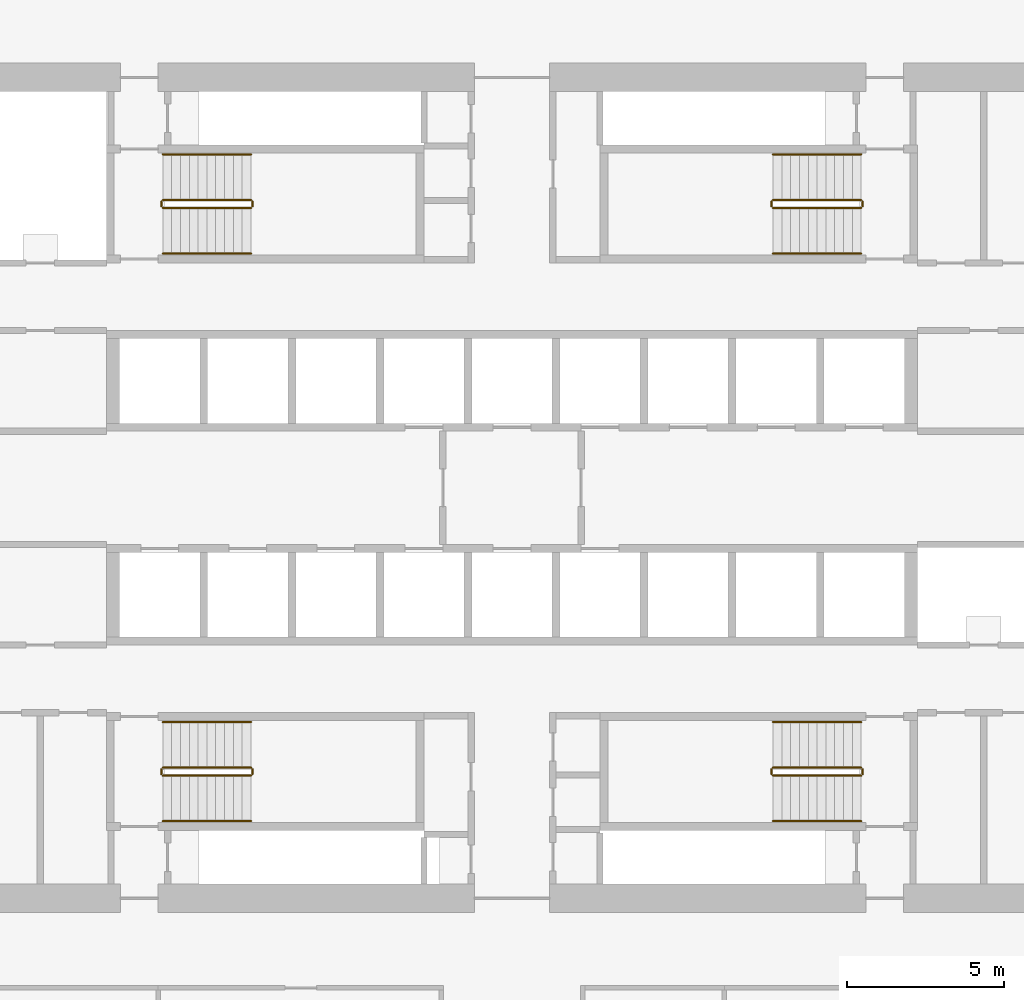
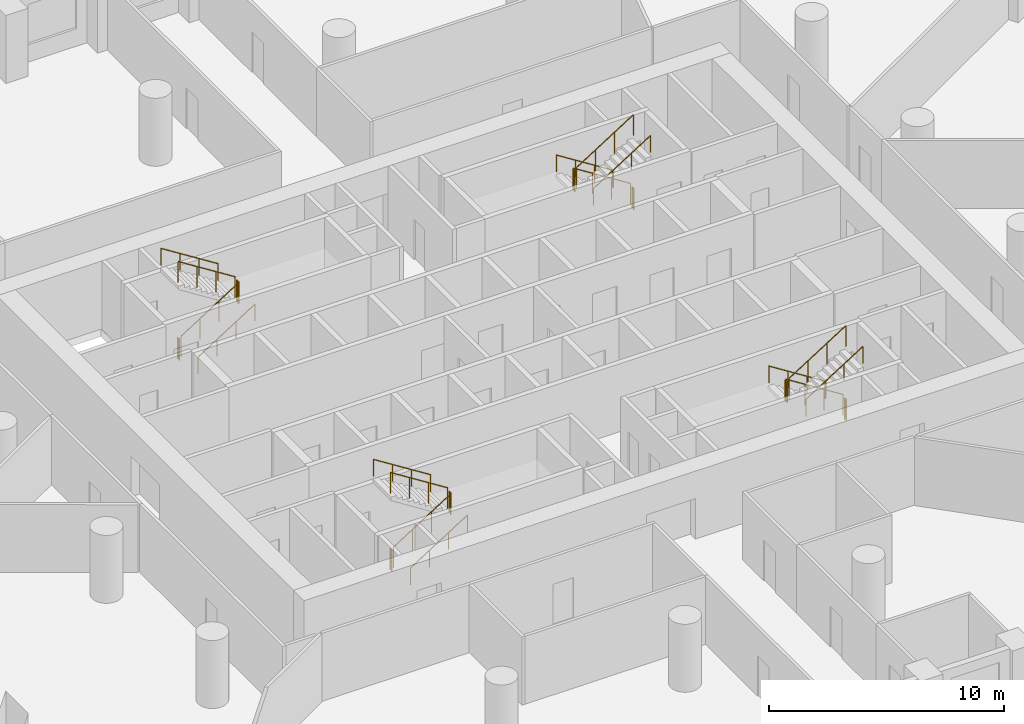
# One storey, part 10 of 10: 24 railings.
"""IFC4 building model written with IfcOpenShell, lengths in metres."""

from ifc_helpers import new_model, si_unit, direction, frame, origin, origin_2d, place, context, subcontext, project, spatial, circle, extrude, material, type_object, element, save


model = new_model("IFC4")

# Units and contexts
model_context = context("Model", 3, precision=1e-05, world=origin(), true_north=direction((0.0, 1.0)))
body_context = subcontext(model_context, "Body", "Model", "MODEL_VIEW")
ifc_project = project(units=[si_unit("LENGTHUNIT", "METRE"), si_unit("AREAUNIT", "SQUARE_METRE"), si_unit("VOLUMEUNIT", "CUBIC_METRE"), si_unit("PLANEANGLEUNIT", "RADIAN"), si_unit("MASSUNIT", "GRAM", prefix="KILO")], contexts=[model_context])

# Site, building, storey
site_placement = place(None, origin())
site = spatial("IfcSite", under=ifc_project, at=site_placement, CompositionType="ELEMENT")
building_placement = place(site_placement, origin())
building = spatial("IfcBuilding", under=site, at=building_placement, Name="Dhurran Vertical Campus", CompositionType="ELEMENT")
storey_placement = place(building_placement, frame((0.0, 0.0, 49.5)))
storey = spatial("IfcBuildingStorey", under=building, at=storey_placement, Name="L11", CompositionType="ELEMENT", Elevation=49.5)

# Railings
ifc_material_1 = material(Name="Stainless steel balustrade", Category="steel")
railing_type_1 = type_object("IfcRailingType", Name="co-RL-GUARD-1100", PredefinedType="GUARDRAIL", material=ifc_material_1)
railing_1_placement = place(storey_placement, frame((-11.10009765625, 8.89990234375, 0.17724609375)))
element("IfcRailing", 1, at=railing_1_placement, inside=storey, type_object=railing_type_1, Name="L11 ST1 stair guard 1", PredefinedType="GUARDRAIL", context=body_context, shape_type="SweptSolid", body=[
    extrude(circle(Radius=0.02392578125, at=origin_2d()), frame((0.0, 0.0, 1.076171875), z_axis=(0.844908973607, 0.0, 0.534910110503), x_axis=(0.0, 1.0, 0.0)), (0.0, 0.0, 1.0), 3.31396484375),
    extrude(circle(Radius=0.02099609375, at=origin_2d()), origin(), (0.0, 0.0, 1.0), 1.052001953125),
    extrude(circle(Radius=0.02099609375, at=origin_2d()), frame((0.933349609375, 0.0, 0.5908203125)), (0.0, 0.0, 1.0), 1.052001953125),
    extrude(circle(Radius=0.02099609375, at=origin_2d()), frame((1.86669921875, 0.0, 1.181884765625)), (0.0, 0.0, 1.0), 1.052001953125),
    extrude(circle(Radius=0.02099609375, at=origin_2d()), frame((2.800048828125, 0.0, 1.772705078125)), (0.0, 0.0, 1.0), 1.052001953125),
])
railing_2_placement = place(storey_placement, frame((-8.25, 8.949951171875, 1.949951171875)))
element("IfcRailing", 2, at=railing_2_placement, inside=storey, type_object=railing_type_1, Name="L11 ST1 stair guard 2", PredefinedType="GUARDRAIL", context=body_context, shape_type="SweptSolid", body=[
    extrude(circle(Radius=0.02392578125, at=origin_2d()), frame((0.0, 0.0, 1.076171875), z_axis=(0.0, 1.0, 0.0), x_axis=(-1.0, 0.0, 0.0)), (0.0, 0.0, 1.0), 0.150146484375),
    extrude(circle(Radius=0.02099609375, at=origin_2d()), origin(), (0.0, 0.0, 1.0), 1.052001953125),
    extrude(circle(Radius=0.02099609375, at=origin_2d()), frame((0.0, 0.150146484375, 0.0)), (0.0, 0.0, 1.0), 1.052001953125),
])
railing_3_placement = place(storey_placement, frame((-8.300048828125, 9.14990234375, 2.127197265625)))
element("IfcRailing", 3, at=railing_3_placement, inside=storey, type_object=railing_type_1, Name="L11 ST1 stair guard 3", PredefinedType="GUARDRAIL", context=body_context, shape_type="SweptSolid", body=[
    extrude(circle(Radius=0.02392578125, at=origin_2d()), frame((0.0, 0.0, 1.076171875), z_axis=(-0.844908973607, 0.0, 0.534910110503), x_axis=(0.0, -1.0, 0.0)), (0.0, 0.0, 1.0), 3.31396484375),
    extrude(circle(Radius=0.02099609375, at=origin_2d()), origin(), (0.0, 0.0, 1.0), 1.052001953125),
    extrude(circle(Radius=0.02099609375, at=origin_2d()), frame((-0.933349609375, 0.0, 0.5908203125)), (0.0, 0.0, 1.0), 1.052001953125),
    extrude(circle(Radius=0.02099609375, at=origin_2d()), frame((-1.86669921875, 0.0, 1.181884765625)), (0.0, 0.0, 1.0), 1.052001953125),
    extrude(circle(Radius=0.02099609375, at=origin_2d()), frame((-2.800048828125, 0.0, 1.772705078125)), (0.0, 0.0, 1.0), 1.052001953125),
])
railing_4_placement = place(storey_placement, frame((-11.14990234375, 8.949951171875, 0.0)))
element("IfcRailing", 4, at=railing_4_placement, inside=storey, type_object=railing_type_1, Name="L11 ST1 stair guard 4", PredefinedType="GUARDRAIL", context=body_context, shape_type="SweptSolid", body=[
    extrude(circle(Radius=0.02392578125, at=origin_2d()), frame((0.0, 0.0, 1.076171875), z_axis=(0.0, 1.0, 0.0), x_axis=(-1.0, 0.0, 0.0)), (0.0, 0.0, 1.0), 0.150146484375),
    extrude(circle(Radius=0.02099609375, at=origin_2d()), origin(), (0.0, 0.0, 1.0), 1.052001953125),
    extrude(circle(Radius=0.02099609375, at=origin_2d()), frame((0.0, 0.150146484375, 0.0)), (0.0, 0.0, 1.0), 1.052001953125),
])
railing_5_placement = place(storey_placement, frame((11.10009765625, 9.14990234375, 0.17724609375)))
element("IfcRailing", 5, at=railing_5_placement, inside=storey, type_object=railing_type_1, Name="L11 ST2 stair guard 1", PredefinedType="GUARDRAIL", context=body_context, shape_type="SweptSolid", body=[
    extrude(circle(Radius=0.02392578125, at=origin_2d()), frame((0.0, 0.0, 1.076171875), z_axis=(-0.844908973607, 0.0, 0.534910110503), x_axis=(0.0, -1.0, 0.0)), (0.0, 0.0, 1.0), 3.31396484375),
    extrude(circle(Radius=0.02099609375, at=origin_2d()), origin(), (0.0, 0.0, 1.0), 1.052001953125),
    extrude(circle(Radius=0.02099609375, at=origin_2d()), frame((-0.933349609375, 0.0, 0.5908203125)), (0.0, 0.0, 1.0), 1.052001953125),
    extrude(circle(Radius=0.02099609375, at=origin_2d()), frame((-1.86669921875, 0.0, 1.181884765625)), (0.0, 0.0, 1.0), 1.052001953125),
    extrude(circle(Radius=0.02099609375, at=origin_2d()), frame((-2.800048828125, 0.0, 1.772705078125)), (0.0, 0.0, 1.0), 1.052001953125),
])
railing_6_placement = place(storey_placement, frame((8.25, 9.10009765625, 1.949951171875)))
element("IfcRailing", 6, at=railing_6_placement, inside=storey, type_object=railing_type_1, Name="L11 ST2 stair guard 2", PredefinedType="GUARDRAIL", context=body_context, shape_type="SweptSolid", body=[
    extrude(circle(Radius=0.02392578125, at=origin_2d()), frame((0.0, 0.0, 1.076171875), z_axis=(0.0, -1.0, 0.0), x_axis=(1.0, 0.0, 0.0)), (0.0, 0.0, 1.0), 0.150146484375),
    extrude(circle(Radius=0.02099609375, at=origin_2d()), origin(), (0.0, 0.0, 1.0), 1.052001953125),
    extrude(circle(Radius=0.02099609375, at=origin_2d()), frame((0.0, -0.150146484375, 0.0)), (0.0, 0.0, 1.0), 1.052001953125),
])
railing_7_placement = place(storey_placement, frame((8.300048828125, 8.89990234375, 2.127197265625)))
element("IfcRailing", 7, at=railing_7_placement, inside=storey, type_object=railing_type_1, Name="L11 ST2 stair guard 3", PredefinedType="GUARDRAIL", context=body_context, shape_type="SweptSolid", body=[
    extrude(circle(Radius=0.02392578125, at=origin_2d()), frame((0.0, 0.0, 1.076171875), z_axis=(0.844908973607, 0.0, 0.534910110503), x_axis=(0.0, 1.0, 0.0)), (0.0, 0.0, 1.0), 3.31396484375),
    extrude(circle(Radius=0.02099609375, at=origin_2d()), origin(), (0.0, 0.0, 1.0), 1.052001953125),
    extrude(circle(Radius=0.02099609375, at=origin_2d()), frame((0.933349609375, 0.0, 0.5908203125)), (0.0, 0.0, 1.0), 1.052001953125),
    extrude(circle(Radius=0.02099609375, at=origin_2d()), frame((1.86669921875, 0.0, 1.181884765625)), (0.0, 0.0, 1.0), 1.052001953125),
    extrude(circle(Radius=0.02099609375, at=origin_2d()), frame((2.800048828125, 0.0, 1.772705078125)), (0.0, 0.0, 1.0), 1.052001953125),
])
railing_8_placement = place(storey_placement, frame((11.14990234375, 9.10009765625, 0.0)))
element("IfcRailing", 8, at=railing_8_placement, inside=storey, type_object=railing_type_1, Name="L11 ST2 stair guard 4", PredefinedType="GUARDRAIL", context=body_context, shape_type="SweptSolid", body=[
    extrude(circle(Radius=0.02392578125, at=origin_2d()), frame((0.0, 0.0, 1.076171875), z_axis=(0.0, -1.0, 0.0), x_axis=(1.0, 0.0, 0.0)), (0.0, 0.0, 1.0), 0.150146484375),
    extrude(circle(Radius=0.02099609375, at=origin_2d()), origin(), (0.0, 0.0, 1.0), 1.052001953125),
    extrude(circle(Radius=0.02099609375, at=origin_2d()), frame((0.0, -0.150146484375, 0.0)), (0.0, 0.0, 1.0), 1.052001953125),
])
railing_9_placement = place(storey_placement, frame((-11.10009765625, -9.14990234375, 0.17724609375)))
element("IfcRailing", 9, at=railing_9_placement, inside=storey, type_object=railing_type_1, Name="L11 ST3 stair guard 1", PredefinedType="GUARDRAIL", context=body_context, shape_type="SweptSolid", body=[
    extrude(circle(Radius=0.02392578125, at=origin_2d()), frame((0.0, 0.0, 1.076171875), z_axis=(0.844908973607, 0.0, 0.534910110503), x_axis=(0.0, 1.0, 0.0)), (0.0, 0.0, 1.0), 3.31396484375),
    extrude(circle(Radius=0.02099609375, at=origin_2d()), origin(), (0.0, 0.0, 1.0), 1.052001953125),
    extrude(circle(Radius=0.02099609375, at=origin_2d()), frame((0.933349609375, 0.0, 0.5908203125)), (0.0, 0.0, 1.0), 1.052001953125),
    extrude(circle(Radius=0.02099609375, at=origin_2d()), frame((1.86669921875, 0.0, 1.181884765625)), (0.0, 0.0, 1.0), 1.052001953125),
    extrude(circle(Radius=0.02099609375, at=origin_2d()), frame((2.800048828125, 0.0, 1.772705078125)), (0.0, 0.0, 1.0), 1.052001953125),
])
railing_10_placement = place(storey_placement, frame((-8.25, -9.10009765625, 1.949951171875)))
element("IfcRailing", 10, at=railing_10_placement, inside=storey, type_object=railing_type_1, Name="L11 ST3 stair guard 2", PredefinedType="GUARDRAIL", context=body_context, shape_type="SweptSolid", body=[
    extrude(circle(Radius=0.02392578125, at=origin_2d()), frame((0.0, 0.0, 1.076171875), z_axis=(0.0, 1.0, 0.0), x_axis=(-1.0, 0.0, 0.0)), (0.0, 0.0, 1.0), 0.150146484375),
    extrude(circle(Radius=0.02099609375, at=origin_2d()), origin(), (0.0, 0.0, 1.0), 1.052001953125),
    extrude(circle(Radius=0.02099609375, at=origin_2d()), frame((0.0, 0.150146484375, 0.0)), (0.0, 0.0, 1.0), 1.052001953125),
])
railing_11_placement = place(storey_placement, frame((-8.300048828125, -8.89990234375, 2.127197265625)))
element("IfcRailing", 11, at=railing_11_placement, inside=storey, type_object=railing_type_1, Name="L11 ST3 stair guard 3", PredefinedType="GUARDRAIL", context=body_context, shape_type="SweptSolid", body=[
    extrude(circle(Radius=0.02392578125, at=origin_2d()), frame((0.0, 0.0, 1.076171875), z_axis=(-0.844908973607, 0.0, 0.534910110503), x_axis=(0.0, -1.0, 0.0)), (0.0, 0.0, 1.0), 3.31396484375),
    extrude(circle(Radius=0.02099609375, at=origin_2d()), origin(), (0.0, 0.0, 1.0), 1.052001953125),
    extrude(circle(Radius=0.02099609375, at=origin_2d()), frame((-0.933349609375, 0.0, 0.5908203125)), (0.0, 0.0, 1.0), 1.052001953125),
    extrude(circle(Radius=0.02099609375, at=origin_2d()), frame((-1.86669921875, 0.0, 1.181884765625)), (0.0, 0.0, 1.0), 1.052001953125),
    extrude(circle(Radius=0.02099609375, at=origin_2d()), frame((-2.800048828125, 0.0, 1.772705078125)), (0.0, 0.0, 1.0), 1.052001953125),
])
railing_12_placement = place(storey_placement, frame((-11.14990234375, -9.10009765625, 0.0)))
element("IfcRailing", 12, at=railing_12_placement, inside=storey, type_object=railing_type_1, Name="L11 ST3 stair guard 4", PredefinedType="GUARDRAIL", context=body_context, shape_type="SweptSolid", body=[
    extrude(circle(Radius=0.02392578125, at=origin_2d()), frame((0.0, 0.0, 1.076171875), z_axis=(0.0, 1.0, 0.0), x_axis=(-1.0, 0.0, 0.0)), (0.0, 0.0, 1.0), 0.150146484375),
    extrude(circle(Radius=0.02099609375, at=origin_2d()), origin(), (0.0, 0.0, 1.0), 1.052001953125),
    extrude(circle(Radius=0.02099609375, at=origin_2d()), frame((0.0, 0.150146484375, 0.0)), (0.0, 0.0, 1.0), 1.052001953125),
])
railing_13_placement = place(storey_placement, frame((11.10009765625, -8.89990234375, 0.17724609375)))
element("IfcRailing", 13, at=railing_13_placement, inside=storey, type_object=railing_type_1, Name="L11 ST4 stair guard 1", PredefinedType="GUARDRAIL", context=body_context, shape_type="SweptSolid", body=[
    extrude(circle(Radius=0.02392578125, at=origin_2d()), frame((0.0, 0.0, 1.076171875), z_axis=(-0.844908973607, 0.0, 0.534910110503), x_axis=(0.0, -1.0, 0.0)), (0.0, 0.0, 1.0), 3.31396484375),
    extrude(circle(Radius=0.02099609375, at=origin_2d()), origin(), (0.0, 0.0, 1.0), 1.052001953125),
    extrude(circle(Radius=0.02099609375, at=origin_2d()), frame((-0.933349609375, 0.0, 0.5908203125)), (0.0, 0.0, 1.0), 1.052001953125),
    extrude(circle(Radius=0.02099609375, at=origin_2d()), frame((-1.86669921875, 0.0, 1.181884765625)), (0.0, 0.0, 1.0), 1.052001953125),
    extrude(circle(Radius=0.02099609375, at=origin_2d()), frame((-2.800048828125, 0.0, 1.772705078125)), (0.0, 0.0, 1.0), 1.052001953125),
])
railing_14_placement = place(storey_placement, frame((8.25, -8.949951171875, 1.949951171875)))
element("IfcRailing", 14, at=railing_14_placement, inside=storey, type_object=railing_type_1, Name="L11 ST4 stair guard 2", PredefinedType="GUARDRAIL", context=body_context, shape_type="SweptSolid", body=[
    extrude(circle(Radius=0.02392578125, at=origin_2d()), frame((0.0, 0.0, 1.076171875), z_axis=(0.0, -1.0, 0.0), x_axis=(1.0, 0.0, 0.0)), (0.0, 0.0, 1.0), 0.150146484375),
    extrude(circle(Radius=0.02099609375, at=origin_2d()), origin(), (0.0, 0.0, 1.0), 1.052001953125),
    extrude(circle(Radius=0.02099609375, at=origin_2d()), frame((0.0, -0.150146484375, 0.0)), (0.0, 0.0, 1.0), 1.052001953125),
])
railing_15_placement = place(storey_placement, frame((8.300048828125, -9.14990234375, 2.127197265625)))
element("IfcRailing", 15, at=railing_15_placement, inside=storey, type_object=railing_type_1, Name="L11 ST4 stair guard 3", PredefinedType="GUARDRAIL", context=body_context, shape_type="SweptSolid", body=[
    extrude(circle(Radius=0.02392578125, at=origin_2d()), frame((0.0, 0.0, 1.076171875), z_axis=(0.844908973607, 0.0, 0.534910110503), x_axis=(0.0, 1.0, 0.0)), (0.0, 0.0, 1.0), 3.31396484375),
    extrude(circle(Radius=0.02099609375, at=origin_2d()), origin(), (0.0, 0.0, 1.0), 1.052001953125),
    extrude(circle(Radius=0.02099609375, at=origin_2d()), frame((0.933349609375, 0.0, 0.5908203125)), (0.0, 0.0, 1.0), 1.052001953125),
    extrude(circle(Radius=0.02099609375, at=origin_2d()), frame((1.86669921875, 0.0, 1.181884765625)), (0.0, 0.0, 1.0), 1.052001953125),
    extrude(circle(Radius=0.02099609375, at=origin_2d()), frame((2.800048828125, 0.0, 1.772705078125)), (0.0, 0.0, 1.0), 1.052001953125),
])
railing_16_placement = place(storey_placement, frame((11.14990234375, -8.949951171875, 0.0)))
element("IfcRailing", 16, at=railing_16_placement, inside=storey, type_object=railing_type_1, Name="L11 ST4 stair guard 4", PredefinedType="GUARDRAIL", context=body_context, shape_type="SweptSolid", body=[
    extrude(circle(Radius=0.02392578125, at=origin_2d()), frame((0.0, 0.0, 1.076171875), z_axis=(0.0, -1.0, 0.0), x_axis=(1.0, 0.0, 0.0)), (0.0, 0.0, 1.0), 0.150146484375),
    extrude(circle(Radius=0.02099609375, at=origin_2d()), origin(), (0.0, 0.0, 1.0), 1.052001953125),
    extrude(circle(Radius=0.02099609375, at=origin_2d()), frame((0.0, -0.150146484375, 0.0)), (0.0, 0.0, 1.0), 1.052001953125),
])
ifc_material_2 = material(Name="Stainless steel handrail", Category="steel")
railing_type_2 = type_object("IfcRailingType", Name="co-RL-HANDRAIL-900", PredefinedType="HANDRAIL", material=ifc_material_2)
railing_17_placement = place(storey_placement, frame((-11.10009765625, 7.449951171875, 0.17724609375)))
element("IfcRailing", 17, at=railing_17_placement, inside=storey, type_object=railing_type_2, Name="L11 ST1 stair handrail 1", PredefinedType="HANDRAIL", context=body_context, shape_type="SweptSolid", body=[
    extrude(circle(Radius=0.02392578125, at=origin_2d()), frame((0.0, 0.0, 0.8759765625), z_axis=(0.844908973607, 0.0, 0.534910110503), x_axis=(0.0, 1.0, 0.0)), (0.0, 0.0, 1.0), 3.31396484375),
    extrude(circle(Radius=0.02099609375, at=origin_2d()), origin(), (0.0, 0.0, 1.0), 0.851806640625),
    extrude(circle(Radius=0.02099609375, at=origin_2d()), frame((0.933349609375, 0.0, 0.5908203125)), (0.0, 0.0, 1.0), 0.851806640625),
    extrude(circle(Radius=0.02099609375, at=origin_2d()), frame((1.86669921875, 0.0, 1.181884765625)), (0.0, 0.0, 1.0), 0.851806640625),
    extrude(circle(Radius=0.02099609375, at=origin_2d()), frame((2.800048828125, 0.0, 1.772705078125)), (0.0, 0.0, 1.0), 0.851806640625),
])
for number, where, name in (
    (18, (-8.300048828125, 10.60009765625, 2.127197265625), "L11 ST1 stair handrail 2"),
    (19, (11.10009765625, 10.60009765625, 0.17724609375), "L11 ST2 stair handrail 1"),
):
    element("IfcRailing", number, at=place(storey_placement, frame(where)), inside=storey, type_object=railing_type_2, Name=name, PredefinedType="HANDRAIL", context=body_context, shape_type="SweptSolid", body=[
        extrude(circle(Radius=0.02392578125, at=origin_2d()), frame((0.0, 0.0, 0.8759765625), z_axis=(-0.844908973607, 0.0, 0.534910110503), x_axis=(0.0, -1.0, 0.0)), (0.0, 0.0, 1.0), 3.31396484375),
        extrude(circle(Radius=0.02099609375, at=origin_2d()), origin(), (0.0, 0.0, 1.0), 0.851806640625),
        extrude(circle(Radius=0.02099609375, at=origin_2d()), frame((-0.933349609375, 0.0, 0.5908203125)), (0.0, 0.0, 1.0), 0.851806640625),
        extrude(circle(Radius=0.02099609375, at=origin_2d()), frame((-1.86669921875, 0.0, 1.181884765625)), (0.0, 0.0, 1.0), 0.851806640625),
        extrude(circle(Radius=0.02099609375, at=origin_2d()), frame((-2.800048828125, 0.0, 1.772705078125)), (0.0, 0.0, 1.0), 0.851806640625),
    ])
for number, where, name in (
    (20, (8.300048828125, 7.449951171875, 2.127197265625), "L11 ST2 stair handrail 2"),
    (21, (-11.10009765625, -10.60009765625, 0.17724609375), "L11 ST3 stair handrail 1"),
):
    element("IfcRailing", number, at=place(storey_placement, frame(where)), inside=storey, type_object=railing_type_2, Name=name, PredefinedType="HANDRAIL", context=body_context, shape_type="SweptSolid", body=[
        extrude(circle(Radius=0.02392578125, at=origin_2d()), frame((0.0, 0.0, 0.8759765625), z_axis=(0.844908973607, 0.0, 0.534910110503), x_axis=(0.0, 1.0, 0.0)), (0.0, 0.0, 1.0), 3.31396484375),
        extrude(circle(Radius=0.02099609375, at=origin_2d()), origin(), (0.0, 0.0, 1.0), 0.851806640625),
        extrude(circle(Radius=0.02099609375, at=origin_2d()), frame((0.933349609375, 0.0, 0.5908203125)), (0.0, 0.0, 1.0), 0.851806640625),
        extrude(circle(Radius=0.02099609375, at=origin_2d()), frame((1.86669921875, 0.0, 1.181884765625)), (0.0, 0.0, 1.0), 0.851806640625),
        extrude(circle(Radius=0.02099609375, at=origin_2d()), frame((2.800048828125, 0.0, 1.772705078125)), (0.0, 0.0, 1.0), 0.851806640625),
    ])
for number, where, name in (
    (22, (-8.300048828125, -7.449951171875, 2.127197265625), "L11 ST3 stair handrail 2"),
    (23, (11.10009765625, -7.449951171875, 0.17724609375), "L11 ST4 stair handrail 1"),
):
    element("IfcRailing", number, at=place(storey_placement, frame(where)), inside=storey, type_object=railing_type_2, Name=name, PredefinedType="HANDRAIL", context=body_context, shape_type="SweptSolid", body=[
        extrude(circle(Radius=0.02392578125, at=origin_2d()), frame((0.0, 0.0, 0.8759765625), z_axis=(-0.844908973607, 0.0, 0.534910110503), x_axis=(0.0, -1.0, 0.0)), (0.0, 0.0, 1.0), 3.31396484375),
        extrude(circle(Radius=0.02099609375, at=origin_2d()), origin(), (0.0, 0.0, 1.0), 0.851806640625),
        extrude(circle(Radius=0.02099609375, at=origin_2d()), frame((-0.933349609375, 0.0, 0.5908203125)), (0.0, 0.0, 1.0), 0.851806640625),
        extrude(circle(Radius=0.02099609375, at=origin_2d()), frame((-1.86669921875, 0.0, 1.181884765625)), (0.0, 0.0, 1.0), 0.851806640625),
        extrude(circle(Radius=0.02099609375, at=origin_2d()), frame((-2.800048828125, 0.0, 1.772705078125)), (0.0, 0.0, 1.0), 0.851806640625),
    ])
railing_18_placement = place(storey_placement, frame((8.300048828125, -10.60009765625, 2.127197265625)))
element("IfcRailing", 24, at=railing_18_placement, inside=storey, type_object=railing_type_2, Name="L11 ST4 stair handrail 2", PredefinedType="HANDRAIL", context=body_context, shape_type="SweptSolid", body=[
    extrude(circle(Radius=0.02392578125, at=origin_2d()), frame((0.0, 0.0, 0.8759765625), z_axis=(0.844908973607, 0.0, 0.534910110503), x_axis=(0.0, 1.0, 0.0)), (0.0, 0.0, 1.0), 3.31396484375),
    extrude(circle(Radius=0.02099609375, at=origin_2d()), origin(), (0.0, 0.0, 1.0), 0.851806640625),
    extrude(circle(Radius=0.02099609375, at=origin_2d()), frame((0.933349609375, 0.0, 0.5908203125)), (0.0, 0.0, 1.0), 0.851806640625),
    extrude(circle(Radius=0.02099609375, at=origin_2d()), frame((1.86669921875, 0.0, 1.181884765625)), (0.0, 0.0, 1.0), 0.851806640625),
    extrude(circle(Radius=0.02099609375, at=origin_2d()), frame((2.800048828125, 0.0, 1.772705078125)), (0.0, 0.0, 1.0), 0.851806640625),
])

save(model, "model.ifc")
